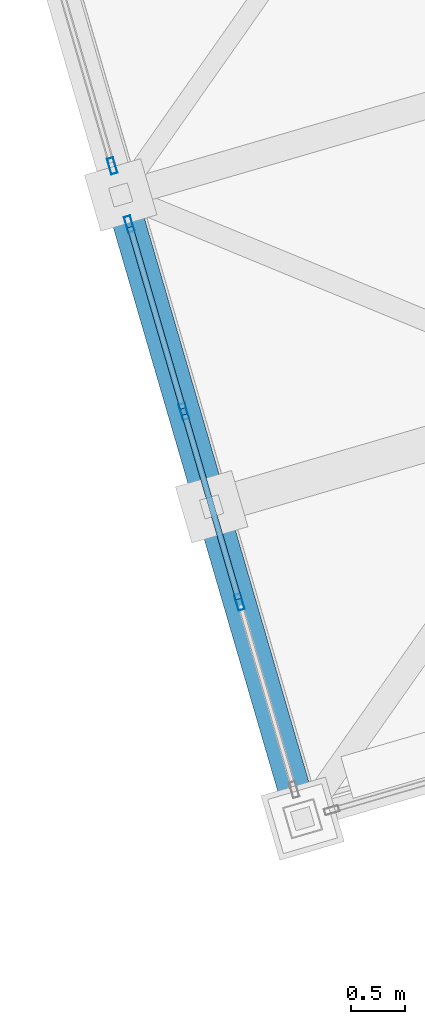
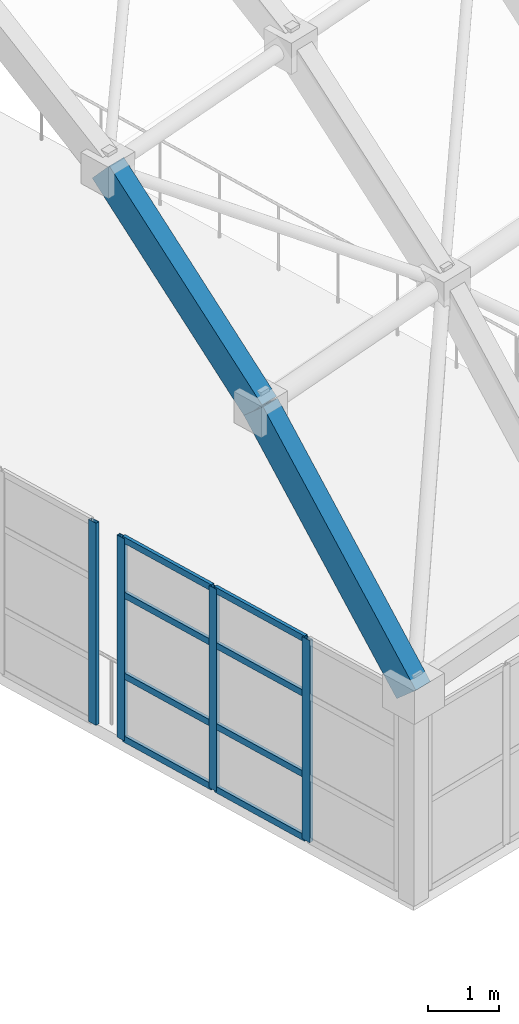
# One storey, part 30 of 248: 12 members, 2 beams, 2 elements without a shape of their own.
"""IFC4 building model written with IfcOpenShell, lengths in metres."""

import ifcopenshell
import ifcopenshell.guid

model = None  # the IFC model being written
_history = None  # IfcOwnerHistory: only IFC2X3 demands one
_inside = {}  # id of a spatial element -> (the spatial element, [elements in it])
_under = {}  # id of a project, library or spatial element -> (it, [spatial elements below it])
_declared = {}  # id of a project -> (the project, [libraries it declares])
_typed = {}  # id of a type object -> (the type object, [elements of that type])
_made_of = {}  # id of a material, layer set ... -> (it, [elements and type objects made of it])


def new_model(schema):
    """Start an empty IFC model of exactly this schema.

    Asked for "IFC4X3", IfcOpenShell would pick the latest addendum, in which some entities
    have other attributes; the version numbers below select the first issue.
    IFC2X3 requires an IfcOwnerHistory on every rooted entity: one is made here for all.
    """
    global model, _history
    if schema == "IFC4X3":
        model = ifcopenshell.file(schema_version=(4, 3, 0, 0))
    else:
        model = ifcopenshell.file(schema=schema)
    _inside.clear()
    _under.clear()
    _declared.clear()
    _typed.clear()
    _made_of.clear()
    _history = None
    if model.schema == "IFC2X3":
        org = make("IfcOrganization", Name="unknown")
        user = make(
            "IfcPersonAndOrganization",
            ThePerson=make("IfcPerson", FamilyName="unknown"),
            TheOrganization=org,
        )
        app = make(
            "IfcApplication",
            ApplicationDeveloper=org,
            Version="unknown",
            ApplicationFullName="unknown",
            ApplicationIdentifier="unknown",
        )
        _history = make(
            "IfcOwnerHistory",
            OwningUser=user,
            OwningApplication=app,
            ChangeAction="ADDED",
            CreationDate=0,
        )
    return model


def make(cls, **values):
    """One entity of the class cls with the attributes given. An attribute that is None is left unset."""
    return model.create_entity(
        cls, **{name: value for name, value in values.items() if value is not None}
    )


def rooted(cls, **values):
    """An entity with a GlobalId (a new one), such as an element, a storey or a relation."""
    return make(cls, GlobalId=ifcopenshell.guid.new(), OwnerHistory=_history, **values)


def si_unit(unit_type, name, prefix=None):
    """IfcSIUnit, for example si_unit("LENGTHUNIT", "METRE", prefix="MILLI")."""
    return make("IfcSIUnit", UnitType=unit_type, Prefix=prefix, Name=name)


def assignment(units):
    """IfcUnitAssignment: the units of a project."""
    return None if units is None else make("IfcUnitAssignment", Units=units)


def point(xyz):
    """IfcCartesianPoint."""
    return None if xyz is None else make("IfcCartesianPoint", Coordinates=xyz)


def direction(xyz):
    """IfcDirection."""
    return None if xyz is None else make("IfcDirection", DirectionRatios=xyz)


def frame(location, z_axis=None, x_axis=None):
    """IfcAxis2Placement3D, a coordinate frame: its origin and axes. An axis left out is left unset."""
    return make(
        "IfcAxis2Placement3D",
        Location=point(location),
        Axis=direction(z_axis),
        RefDirection=direction(x_axis),
    )


def frame_2d(location, x_axis=None):
    """IfcAxis2Placement2D, a coordinate frame in the plane: its origin and x axis."""
    return make(
        "IfcAxis2Placement2D", Location=point(location), RefDirection=direction(x_axis)
    )


def origin():
    """The frame at (0, 0, 0) with its axes left unset."""
    return frame((0.0, 0.0, 0.0))


def origin_2d():
    """The frame at (0, 0) in the plane with its x axis left unset."""
    return frame_2d((0.0, 0.0))


def place(relative_to, where):
    """IfcLocalPlacement: puts the frame where relative to a parent placement (None: the world)."""
    return make(
        "IfcLocalPlacement", PlacementRelTo=relative_to, RelativePlacement=where
    )


def context(
    kind, dimensions, precision=None, world=None, true_north=None, identifier=None
):
    """IfcGeometricRepresentationContext, for example the 3D "Model" context."""
    return make(
        "IfcGeometricRepresentationContext",
        ContextIdentifier=identifier,
        ContextType=kind,
        CoordinateSpaceDimension=dimensions,
        Precision=precision,
        WorldCoordinateSystem=world,
        TrueNorth=true_north,
    )


def subcontext(parent, identifier, kind, view, scale=None):
    """IfcGeometricRepresentationSubContext, for example "Body" below "Model"."""
    return make(
        "IfcGeometricRepresentationSubContext",
        ContextIdentifier=identifier,
        ContextType=kind,
        ParentContext=parent,
        TargetScale=scale,
        TargetView=view,
    )


def project(units=None, contexts=None):
    """IfcProject with its units and contexts."""
    return rooted(
        "IfcProject",
        Name="project",
        RepresentationContexts=contexts,
        UnitsInContext=assignment(units),
    )


def spatial(cls, under=None, at=None, **own):
    """A site, building, storey or space (cls), placed at a placement, below another one or the project."""
    s = rooted(cls, ObjectPlacement=at, **own)
    if under is not None:
        _under.setdefault(under.id(), (under, []))[1].append(s)
    return s


def profile(cls, at=None, kind="AREA", **sizes):
    """A parametric profile (cls). Its sizes go by their IFC names, for example OverallWidth=200.0."""
    return make(cls, ProfileType=kind, Position=at, **sizes)


def hollow_rectangle(**sizes):
    """IfcRectangleHollowProfileDef."""
    return profile("IfcRectangleHollowProfileDef", **sizes)


def extrude(swept, where, along, depth):
    """IfcExtrudedAreaSolid: the profile swept, set in the frame where, extruded along a direction by depth."""
    return make(
        "IfcExtrudedAreaSolid",
        SweptArea=swept,
        Position=where,
        ExtrudedDirection=direction(along),
        Depth=depth,
    )


def shape(context_of_items, identifier, shape_type, items):
    """IfcShapeRepresentation: the items that make up one representation, for example the "Body"."""
    return make(
        "IfcShapeRepresentation",
        ContextOfItems=context_of_items,
        RepresentationIdentifier=identifier,
        RepresentationType=shape_type,
        Items=items,
    )


def material(Name=None, Category=None):
    """IfcMaterial."""
    return make("IfcMaterial", Name=Name, Category=Category)


def layer(
    of_material, thickness, ventilated=None, Name=None, Category=None, Priority=None
):
    """IfcMaterialLayer: one layer of a wall or slab, of a material (None: an air gap)."""
    return make(
        "IfcMaterialLayer",
        Material=of_material,
        LayerThickness=thickness,
        IsVentilated=ventilated,
        Name=Name,
        Category=Category,
        Priority=Priority,
    )


def layer_set(layers, Name=None):
    """IfcMaterialLayerSet."""
    return make("IfcMaterialLayerSet", MaterialLayers=layers, LayerSetName=Name)


def material_profile(
    of_material, cross_section, Name=None, Category=None, Priority=None
):
    """IfcMaterialProfile: a cross section and its material."""
    return make(
        "IfcMaterialProfile",
        Name=Name,
        Material=of_material,
        Profile=cross_section,
        Priority=Priority,
        Category=Category,
    )


def profile_set(profiles, Name=None, composite=None):
    """IfcMaterialProfileSet."""
    return make(
        "IfcMaterialProfileSet",
        Name=Name,
        MaterialProfiles=profiles,
        CompositeProfile=composite,
    )


def made_of(thing, what):
    """Note that an element or type object is made of a material, layer set ...; save() writes the relation."""
    if what is not None:
        _made_of.setdefault(what.id(), (what, []))[1].append(thing)
    return thing


def type_object(cls, material=None, **own):
    """A type object (cls), such as IfcWallType, which elements share."""
    return made_of(rooted(cls, **own), material)


def element(
    cls,
    number,
    at=None,
    inside=None,
    cuts=None,
    type_object=None,
    material=None,
    context=None,
    identifier="Body",
    shape_type=None,
    held_by="IfcProductDefinitionShape",
    body=None,
    shapes=None,
    **own,
):
    """One element of the class cls, such as IfcWall. Its Tag is "e" and its number.

    at: its placement. inside: the storey or other place that contains it. cuts: it is an
    opening in that element (IfcRelVoidsElement). A single representation is given by context,
    identifier, shape_type and body (its items); several are given by shapes. held_by: the class
    of the entity that holds the representations. save() writes the other relations.
    """
    e = rooted(cls, Tag="e%d" % number, ObjectPlacement=at, **own)
    if body is not None:
        shapes = [shape(context, identifier, shape_type, body)]
    if shapes is not None:
        e.Representation = make(held_by, Representations=shapes)
    if inside is not None:
        _inside.setdefault(inside.id(), (inside, []))[1].append(e)
    if cuts is not None:
        rooted(
            "IfcRelVoidsElement", RelatingBuildingElement=cuts, RelatedOpeningElement=e
        )
    if type_object is not None:
        _typed.setdefault(type_object.id(), (type_object, []))[1].append(e)
    return made_of(e, material)


def aggregate(whole, parts):
    """IfcRelAggregates: a whole, such as a stair, and the parts it consists of."""
    return rooted("IfcRelAggregates", RelatingObject=whole, RelatedObjects=parts)


def save(model, path):
    """Write the relations noted so far, then the file.

    IfcRelAggregates (storeys below a building ...), IfcRelContainedInSpatialStructure (elements
    in a storey), IfcRelDefinesByType, IfcRelAssociatesMaterial and IfcRelDeclares: one each for
    every whole, place, type object, material and project.
    """
    for whole, parts in _under.values():
        aggregate(whole, parts)
    for where, things in _inside.values():
        rooted(
            "IfcRelContainedInSpatialStructure",
            RelatedElements=things,
            RelatingStructure=where,
        )
    for kind, things in _typed.values():
        rooted("IfcRelDefinesByType", RelatedObjects=things, RelatingType=kind)
    for what, things in _made_of.values():
        rooted("IfcRelAssociatesMaterial", RelatedObjects=things, RelatingMaterial=what)
    for by, libraries in _declared.values():
        rooted("IfcRelDeclares", RelatingContext=by, RelatedDefinitions=libraries)
    model.write(path)


model = new_model("IFC4")

# Units and contexts
model_context = context("Model", 3, precision=1e-05, world=origin(), true_north=direction((0.0, 1.0)))
body_context = subcontext(model_context, "Body", "Model", "MODEL_VIEW")
ifc_project = project(units=[si_unit("LENGTHUNIT", "METRE"), si_unit("AREAUNIT", "SQUARE_METRE"), si_unit("VOLUMEUNIT", "CUBIC_METRE"), si_unit("PLANEANGLEUNIT", "RADIAN"), si_unit("MASSUNIT", "GRAM", prefix="KILO")], contexts=[model_context])

# Site, building, storey
site_placement = place(None, origin())
site = spatial("IfcSite", under=ifc_project, at=site_placement, CompositionType="ELEMENT")
building_placement = place(site_placement, origin())
building = spatial("IfcBuilding", under=site, at=building_placement, Name="Canggui Botanical Conservatory", CompositionType="ELEMENT")
storey_placement = place(building_placement, frame((0.0, 0.0, 5.39990234375)))
storey = spatial("IfcBuildingStorey", under=building, at=storey_placement, Name="L02", CompositionType="ELEMENT", Elevation=5.39990234375)

# Beams
ifc_material_1 = material(Name="Steel Q355C", Category="steel")
ifc_material_profile_1 = material_profile(ifc_material_1, hollow_rectangle(XDim=0.300048828125, YDim=0.5, WallThickness=0.01611328125, at=origin_2d()), Name="RHS 300x500x16")
ifc_profile_set_1 = profile_set([ifc_material_profile_1], Name="Steel Q355C")
beam_type = type_object("IfcBeamType", Name="BM-GJ01", PredefinedType="BEAM", material=ifc_profile_set_1)
beam_1_placement = place(storey_placement, frame((20.0, 42.0, 3.60009765625), z_axis=(-0.183568061506, 0.629284758361, 0.755184387874), x_axis=(-0.959989061447, -0.280037500885, 0.0)))
element("IfcBeam", 1, at=beam_1_placement, inside=storey, type_object=beam_type, Name="Conservatory Stepped-Arch Rib GJ-01 Segment 1", PredefinedType="BEAM", context=body_context, shape_type="SweptSolid", body=[
    extrude(hollow_rectangle(XDim=0.300048828125, YDim=0.5, WallThickness=0.01611328125, at=origin_2d()), origin(), (0.0, 0.0, 1.0), 4.576416015625),
])
beam_2_placement = place(storey_placement, frame((19.159912109375, 44.8798828125, 7.05615234375), z_axis=(-0.208495222194, 0.715005272157, 0.667305929173), x_axis=(-0.960017315421, -0.279940626011, 0.0)))
element("IfcBeam", 2, at=beam_2_placement, inside=storey, type_object=beam_type, Name="Conservatory Stepped-Arch Rib GJ-01 Segment 2", PredefinedType="BEAM", context=body_context, shape_type="SweptSolid", body=[
    extrude(hollow_rectangle(XDim=0.300048828125, YDim=0.5, WallThickness=0.01611328125, at=origin_2d()), origin(), (0.0, 0.0, 1.0), 4.028076171875),
])

# Curtain wall, members
ifc_material_2 = material(Name="Thermally Broken Aluminium", Category="aluminium")
ifc_layer = layer(ifc_material_2, 0.14990234375, Name="Thermally Broken Aluminium", Category="aluminium")
ifc_layer_set = layer_set([ifc_layer], Name="Thermally Broken Aluminium")
curtain_wall_type = type_object("IfcCurtainWallType", Name="CW-UNIT-C", PredefinedType="USERDEFINED", material=ifc_layer_set)
curtain_wall_1_placement = place(storey_placement, origin())
curtain_wall_1 = element("IfcCurtainWall", 3, at=curtain_wall_1_placement, inside=storey, type_object=curtain_wall_type, Name="Facade Curtain Wall CW-CONS-GABLE-L02-S-01", ObjectType="UNITISED CURTAIN WALL", PredefinedType="USERDEFINED")
ifc_material_profile_2 = material_profile(ifc_material_2, hollow_rectangle(XDim=0.06005859375, YDim=0.14990234375, WallThickness=0.00341796875, at=origin_2d()), Name="CWM 60x150x3.5")
ifc_profile_set_2 = profile_set([ifc_material_profile_2], Name="Thermally Broken Aluminium")
member_type_1 = type_object("IfcMemberType", Name="CWM-03", PredefinedType="MULLION", material=ifc_profile_set_2)
member_1_placement = place(storey_placement, frame((19.416748046875, 44.0, 0.0), z_axis=(0.0, 0.0, 1.0), x_axis=(-0.960000000002, -0.279999999995, 0.0)))
member_1 = element("IfcMember", 4, at=member_1_placement, type_object=member_type_1, Name="CW-03 mullion 2", PredefinedType="MULLION", context=body_context, shape_type="SweptSolid", body=[
    extrude(hollow_rectangle(XDim=0.06005859375, YDim=0.14990234375, WallThickness=0.00341796875, at=origin_2d()), origin(), (0.0, 0.0, 1.0), 3.5),
])
member_2_placement = place(storey_placement, frame((18.9033203125, 45.760009765625, 0.0), z_axis=(0.0, 0.0, 1.0), x_axis=(-0.960000000002, -0.279999999995, 0.0)))
member_2 = element("IfcMember", 5, at=member_2_placement, type_object=member_type_1, Name="CW-03 mullion 3", PredefinedType="MULLION", context=body_context, shape_type="SweptSolid", body=[
    extrude(hollow_rectangle(XDim=0.06005859375, YDim=0.14990234375, WallThickness=0.00341796875, at=origin_2d()), origin(), (0.0, 0.0, 1.0), 3.5),
])
member_3_placement = place(storey_placement, frame((18.3984375, 47.4912109375, 0.0), z_axis=(0.0, 0.0, 1.0), x_axis=(-0.960000000002, -0.279999999995, 0.0)))
member_3 = element("IfcMember", 6, at=member_3_placement, type_object=member_type_1, Name="CW-03 mullion 4", PredefinedType="MULLION", context=body_context, shape_type="SweptSolid", body=[
    extrude(hollow_rectangle(XDim=0.06005859375, YDim=0.14990234375, WallThickness=0.00341796875, at=origin_2d()), origin(), (0.0, 0.0, 1.0), 3.5),
])

# Curtain wall, member
curtain_wall_2_placement = place(storey_placement, origin())
curtain_wall_2 = element("IfcCurtainWall", 7, at=curtain_wall_2_placement, inside=storey, type_object=curtain_wall_type, Name="Facade Curtain Wall CW-CONS-GABLE-L02-S-02", ObjectType="UNITISED CURTAIN WALL", PredefinedType="USERDEFINED")
member_4_placement = place(storey_placement, frame((18.24169921875, 48.02880859375, 0.0), z_axis=(0.0, 0.0, 1.0), x_axis=(-0.960000000002, -0.279999999995, 0.0)))
member_4 = element("IfcMember", 8, at=member_4_placement, type_object=member_type_1, Name="CW-03 mullion 1", PredefinedType="MULLION", context=body_context, shape_type="SweptSolid", body=[
    extrude(hollow_rectangle(XDim=0.06005859375, YDim=0.14990234375, WallThickness=0.00341796875, at=origin_2d()), origin(), (0.0, 0.0, 1.0), 3.5),
])
aggregate(curtain_wall_2, [member_4])

# Member
ifc_material_profile_3 = material_profile(ifc_material_2, hollow_rectangle(XDim=0.054931640625, YDim=0.110107421875, WallThickness=0.0029296875, at=origin_2d()), Name="CWT 55x110x3")
ifc_profile_set_3 = profile_set([ifc_material_profile_3], Name="Thermally Broken Aluminium")
member_type_2 = type_object("IfcMemberType", Name="CWT-03", PredefinedType="USERDEFINED", material=ifc_profile_set_3)
member_5_placement = place(storey_placement, frame((19.408203125, 44.02880859375, 0.027587890625), z_axis=(-0.280026433067, 0.95999228996, 0.0), x_axis=(-0.95999228996, -0.280026433067, 0.0)))
member_5 = element("IfcMember", 9, at=member_5_placement, type_object=member_type_2, Name="CW-03 transom 2.1", ObjectType="TRANSOM", PredefinedType="USERDEFINED", context=body_context, shape_type="SweptSolid", body=[
    extrude(hollow_rectangle(XDim=0.054931640625, YDim=0.110107421875, WallThickness=0.0029296875, at=origin_2d()), origin(), (0.0, 0.0, 1.0), 1.7734375),
])

member_6_placement = place(storey_placement, frame((19.408203125, 44.02880859375, 1.1201171875), z_axis=(-0.280026433067, 0.95999228996, 0.0), x_axis=(-0.95999228996, -0.280026433067, 0.0)))
member_6 = element("IfcMember", 10, at=member_6_placement, type_object=member_type_2, Name="CW-03 transom 2.2", ObjectType="TRANSOM", PredefinedType="USERDEFINED", context=body_context, shape_type="SweptSolid", body=[
    extrude(hollow_rectangle(XDim=0.054931640625, YDim=0.110107421875, WallThickness=0.0029296875, at=origin_2d()), origin(), (0.0, 0.0, 1.0), 1.7734375),
])

member_7_placement = place(storey_placement, frame((19.408203125, 44.02880859375, 2.52001953125), z_axis=(-0.280026433067, 0.95999228996, 0.0), x_axis=(-0.95999228996, -0.280026433067, 0.0)))
member_7 = element("IfcMember", 11, at=member_7_placement, type_object=member_type_2, Name="CW-03 transom 2.3", ObjectType="TRANSOM", PredefinedType="USERDEFINED", context=body_context, shape_type="SweptSolid", body=[
    extrude(hollow_rectangle(XDim=0.054931640625, YDim=0.110107421875, WallThickness=0.0029296875, at=origin_2d()), origin(), (0.0, 0.0, 1.0), 1.7734375),
])

member_8_placement = place(storey_placement, frame((19.408203125, 44.02880859375, 3.47265625), z_axis=(-0.280026433067, 0.95999228996, 0.0), x_axis=(-0.95999228996, -0.280026433067, 0.0)))
member_8 = element("IfcMember", 12, at=member_8_placement, type_object=member_type_2, Name="CW-03 transom 2.4", ObjectType="TRANSOM", PredefinedType="USERDEFINED", context=body_context, shape_type="SweptSolid", body=[
    extrude(hollow_rectangle(XDim=0.054931640625, YDim=0.110107421875, WallThickness=0.0029296875, at=origin_2d()), origin(), (0.0, 0.0, 1.0), 1.7734375),
])

member_9_placement = place(storey_placement, frame((18.89501953125, 45.788818359375, 0.027587890625), z_axis=(-0.280080662242, 0.959976469836, 0.0), x_axis=(-0.959976469836, -0.280080662242, 0.0)))
member_9 = element("IfcMember", 13, at=member_9_placement, type_object=member_type_2, Name="CW-03 transom 3.1", ObjectType="TRANSOM", PredefinedType="USERDEFINED", context=body_context, shape_type="SweptSolid", body=[
    extrude(hollow_rectangle(XDim=0.054931640625, YDim=0.110107421875, WallThickness=0.0029296875, at=origin_2d()), origin(), (0.0, 0.0, 1.0), 1.743408203125),
])

member_10_placement = place(storey_placement, frame((18.89501953125, 45.788818359375, 1.1201171875), z_axis=(-0.280080662242, 0.959976469836, 0.0), x_axis=(-0.959976469836, -0.280080662242, 0.0)))
member_10 = element("IfcMember", 14, at=member_10_placement, type_object=member_type_2, Name="CW-03 transom 3.2", ObjectType="TRANSOM", PredefinedType="USERDEFINED", context=body_context, shape_type="SweptSolid", body=[
    extrude(hollow_rectangle(XDim=0.054931640625, YDim=0.110107421875, WallThickness=0.0029296875, at=origin_2d()), origin(), (0.0, 0.0, 1.0), 1.743408203125),
])

member_11_placement = place(storey_placement, frame((18.89501953125, 45.788818359375, 2.52001953125), z_axis=(-0.280080662242, 0.959976469836, 0.0), x_axis=(-0.959976469836, -0.280080662242, 0.0)))
member_11 = element("IfcMember", 15, at=member_11_placement, type_object=member_type_2, Name="CW-03 transom 3.3", ObjectType="TRANSOM", PredefinedType="USERDEFINED", context=body_context, shape_type="SweptSolid", body=[
    extrude(hollow_rectangle(XDim=0.054931640625, YDim=0.110107421875, WallThickness=0.0029296875, at=origin_2d()), origin(), (0.0, 0.0, 1.0), 1.743408203125),
])

member_12_placement = place(storey_placement, frame((18.89501953125, 45.788818359375, 3.47265625), z_axis=(-0.280080662242, 0.959976469836, 0.0), x_axis=(-0.959976469836, -0.280080662242, 0.0)))
member_12 = element("IfcMember", 16, at=member_12_placement, type_object=member_type_2, Name="CW-03 transom 3.4", ObjectType="TRANSOM", PredefinedType="USERDEFINED", context=body_context, shape_type="SweptSolid", body=[
    extrude(hollow_rectangle(XDim=0.054931640625, YDim=0.110107421875, WallThickness=0.0029296875, at=origin_2d()), origin(), (0.0, 0.0, 1.0), 1.743408203125),
])

aggregate(curtain_wall_1, [member_1, member_2, member_3, member_5, member_6, member_7, member_8, member_9, member_10, member_11, member_12])

save(model, "model.ifc")
